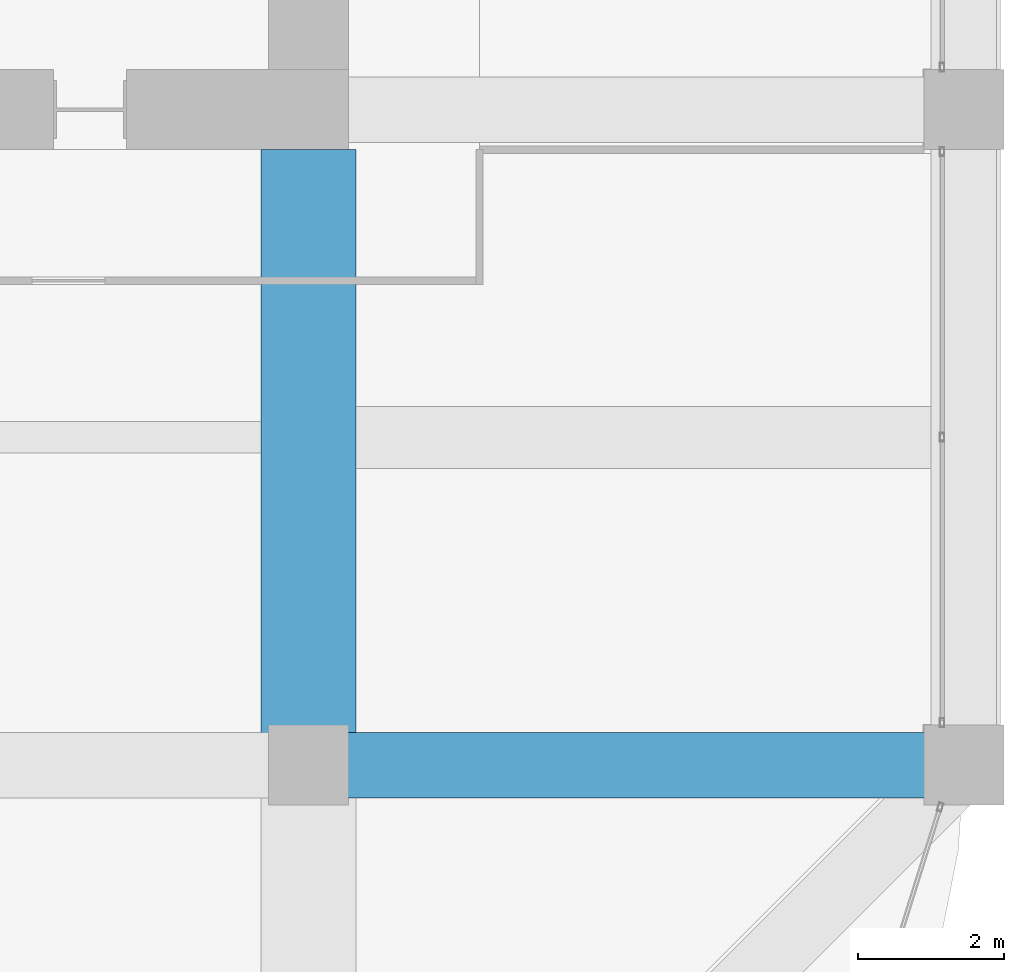
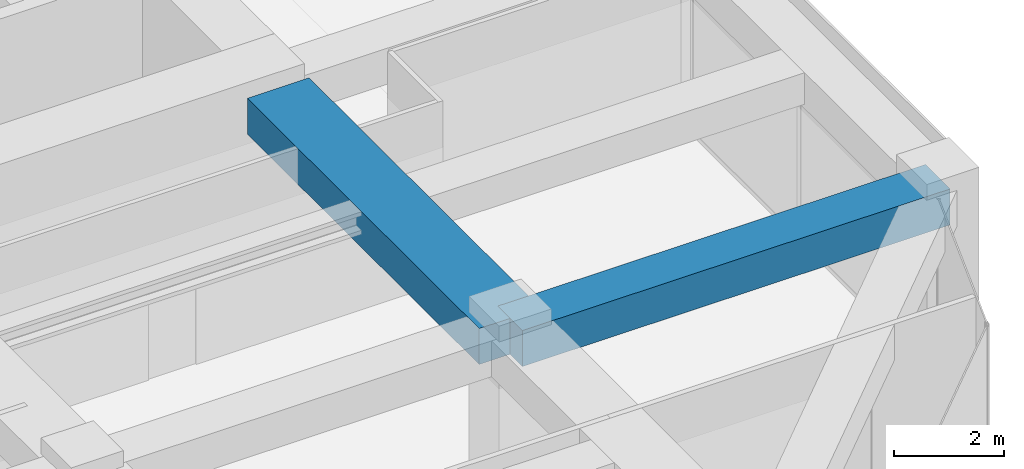
# One storey, part 21 of 44: 2 beams.
"""IFC4 building model written with IfcOpenShell, lengths in metres."""

from ifc_helpers import new_model, si_unit, direction, frame, origin, origin_2d, place, context, subcontext, project, spatial, rectangle, extrude, material, material_profile, profile_set, type_object, element, save


model = new_model("IFC4")

# Units and contexts
model_context = context("Model", 3, precision=1e-05, world=origin(), true_north=direction((0.0, 1.0)))
body_context = subcontext(model_context, "Body", "Model", "MODEL_VIEW")
ifc_project = project(units=[si_unit("LENGTHUNIT", "METRE"), si_unit("AREAUNIT", "SQUARE_METRE"), si_unit("VOLUMEUNIT", "CUBIC_METRE"), si_unit("PLANEANGLEUNIT", "RADIAN"), si_unit("MASSUNIT", "GRAM", prefix="KILO")], contexts=[model_context])

# Site, building, storey
site_placement = place(None, origin())
site = spatial("IfcSite", under=ifc_project, at=site_placement, CompositionType="ELEMENT")
building_placement = place(site_placement, origin())
building = spatial("IfcBuilding", under=site, at=building_placement, Name="Zorevar Civic Tower", CompositionType="ELEMENT")
storey_placement = place(building_placement, frame((0.0, 0.0, 307.39990234375)))
storey = spatial("IfcBuildingStorey", under=building, at=storey_placement, Name="L75", CompositionType="ELEMENT", Elevation=307.39990234375)

# Beams
ifc_material_1 = material(Name="Concrete C50/60", Category="concrete")
ifc_material_profile_1 = material_profile(ifc_material_1, rectangle(XDim=1.300048828125, YDim=0.800048828125, at=origin_2d()), Name="RC 1300x800")
ifc_profile_set_1 = profile_set([ifc_material_profile_1], Name="Concrete C50/60")
beam_type_1 = type_object("IfcBeamType", Name="Beam RC 1300x800", PredefinedType="BEAM", material=ifc_profile_set_1)
beam_1_placement = place(storey_placement, frame((45.0, 9.0, 3.650146484375), z_axis=(0.0, 1.0, 0.0), x_axis=(-1.0, 0.0, 0.0)))
element("IfcBeam", 1, at=beam_1_placement, inside=storey, type_object=beam_type_1, Name="Girder RF", PredefinedType="BEAM", context=body_context, shape_type="SweptSolid", body=[
    extrude(rectangle(XDim=1.300048828125, YDim=0.800048828125, at=origin_2d()), origin(), (0.0, 0.0, 1.0), 8.449951171875),
])
ifc_material_2 = material(Name="Concrete C50/60", Category="concrete")
ifc_material_profile_2 = material_profile(ifc_material_2, rectangle(XDim=0.89990234375, YDim=0.800048828125, at=origin_2d()), Name="RC 900x800")
ifc_profile_set_2 = profile_set([ifc_material_profile_2], Name="Concrete C50/60")
beam_type_2 = type_object("IfcBeamType", Name="Beam RC 900x800", PredefinedType="BEAM", material=ifc_profile_set_2)
beam_2_placement = place(storey_placement, frame((45.0, 9.0, 3.650146484375), z_axis=(1.0, 0.0, 0.0), x_axis=(0.0, 1.0, 0.0)))
element("IfcBeam", 2, at=beam_2_placement, inside=storey, type_object=beam_type_2, Name="Girder RF", PredefinedType="BEAM", context=body_context, shape_type="SweptSolid", body=[
    extrude(rectangle(XDim=0.89990234375, YDim=0.800048828125, at=origin_2d()), origin(), (0.0, 0.0, 1.0), 9.0),
])

save(model, "model.ifc")
